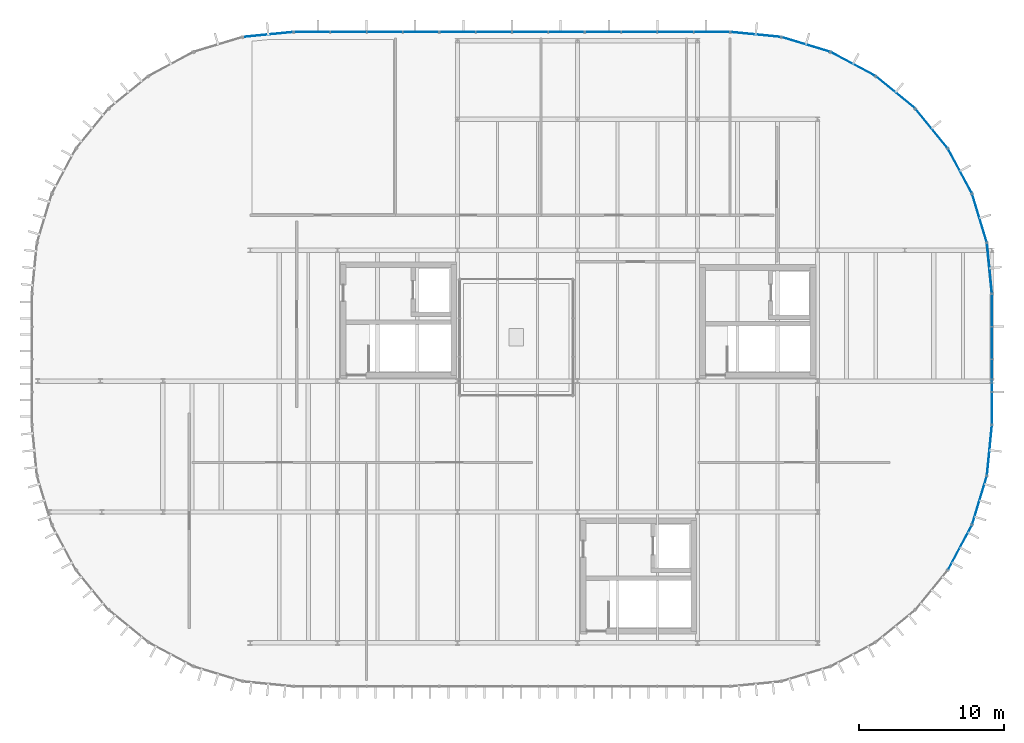
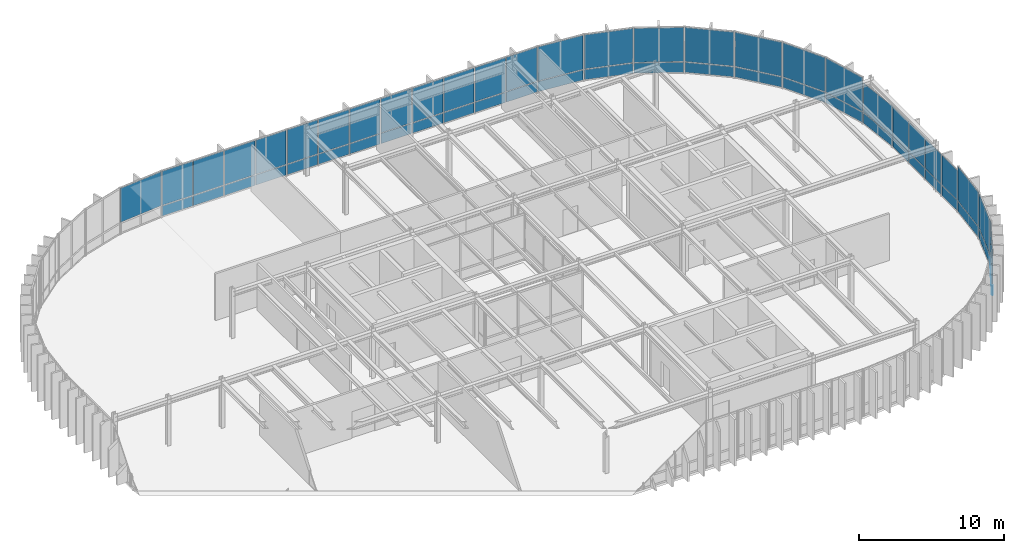
# One storey, part 18 of 21: 55 plates, 16 elements without a shape of their own.
"""IFC4 building model written with IfcOpenShell, lengths in metres."""

import ifcopenshell
import ifcopenshell.guid

model = None  # the IFC model being written
_history = None  # IfcOwnerHistory: only IFC2X3 demands one
_inside = {}  # id of a spatial element -> (the spatial element, [elements in it])
_under = {}  # id of a project, library or spatial element -> (it, [spatial elements below it])
_declared = {}  # id of a project -> (the project, [libraries it declares])
_typed = {}  # id of a type object -> (the type object, [elements of that type])
_made_of = {}  # id of a material, layer set ... -> (it, [elements and type objects made of it])


def new_model(schema):
    """Start an empty IFC model of exactly this schema.

    Asked for "IFC4X3", IfcOpenShell would pick the latest addendum, in which some entities
    have other attributes; the version numbers below select the first issue.
    IFC2X3 requires an IfcOwnerHistory on every rooted entity: one is made here for all.
    """
    global model, _history
    if schema == "IFC4X3":
        model = ifcopenshell.file(schema_version=(4, 3, 0, 0))
    else:
        model = ifcopenshell.file(schema=schema)
    _inside.clear()
    _under.clear()
    _declared.clear()
    _typed.clear()
    _made_of.clear()
    _history = None
    if model.schema == "IFC2X3":
        org = make("IfcOrganization", Name="unknown")
        user = make(
            "IfcPersonAndOrganization",
            ThePerson=make("IfcPerson", FamilyName="unknown"),
            TheOrganization=org,
        )
        app = make(
            "IfcApplication",
            ApplicationDeveloper=org,
            Version="unknown",
            ApplicationFullName="unknown",
            ApplicationIdentifier="unknown",
        )
        _history = make(
            "IfcOwnerHistory",
            OwningUser=user,
            OwningApplication=app,
            ChangeAction="ADDED",
            CreationDate=0,
        )
    return model


def make(cls, **values):
    """One entity of the class cls with the attributes given. An attribute that is None is left unset."""
    return model.create_entity(
        cls, **{name: value for name, value in values.items() if value is not None}
    )


def rooted(cls, **values):
    """An entity with a GlobalId (a new one), such as an element, a storey or a relation."""
    return make(cls, GlobalId=ifcopenshell.guid.new(), OwnerHistory=_history, **values)


def si_unit(unit_type, name, prefix=None):
    """IfcSIUnit, for example si_unit("LENGTHUNIT", "METRE", prefix="MILLI")."""
    return make("IfcSIUnit", UnitType=unit_type, Prefix=prefix, Name=name)


def assignment(units):
    """IfcUnitAssignment: the units of a project."""
    return None if units is None else make("IfcUnitAssignment", Units=units)


def point(xyz):
    """IfcCartesianPoint."""
    return None if xyz is None else make("IfcCartesianPoint", Coordinates=xyz)


def direction(xyz):
    """IfcDirection."""
    return None if xyz is None else make("IfcDirection", DirectionRatios=xyz)


def frame(location, z_axis=None, x_axis=None):
    """IfcAxis2Placement3D, a coordinate frame: its origin and axes. An axis left out is left unset."""
    return make(
        "IfcAxis2Placement3D",
        Location=point(location),
        Axis=direction(z_axis),
        RefDirection=direction(x_axis),
    )


def frame_2d(location, x_axis=None):
    """IfcAxis2Placement2D, a coordinate frame in the plane: its origin and x axis."""
    return make(
        "IfcAxis2Placement2D", Location=point(location), RefDirection=direction(x_axis)
    )


def origin():
    """The frame at (0, 0, 0) with its axes left unset."""
    return frame((0.0, 0.0, 0.0))


def origin_2d():
    """The frame at (0, 0) in the plane with its x axis left unset."""
    return frame_2d((0.0, 0.0))


def place(relative_to, where):
    """IfcLocalPlacement: puts the frame where relative to a parent placement (None: the world)."""
    return make(
        "IfcLocalPlacement", PlacementRelTo=relative_to, RelativePlacement=where
    )


def context(
    kind, dimensions, precision=None, world=None, true_north=None, identifier=None
):
    """IfcGeometricRepresentationContext, for example the 3D "Model" context."""
    return make(
        "IfcGeometricRepresentationContext",
        ContextIdentifier=identifier,
        ContextType=kind,
        CoordinateSpaceDimension=dimensions,
        Precision=precision,
        WorldCoordinateSystem=world,
        TrueNorth=true_north,
    )


def subcontext(parent, identifier, kind, view, scale=None):
    """IfcGeometricRepresentationSubContext, for example "Body" below "Model"."""
    return make(
        "IfcGeometricRepresentationSubContext",
        ContextIdentifier=identifier,
        ContextType=kind,
        ParentContext=parent,
        TargetScale=scale,
        TargetView=view,
    )


def project(units=None, contexts=None):
    """IfcProject with its units and contexts."""
    return rooted(
        "IfcProject",
        Name="project",
        RepresentationContexts=contexts,
        UnitsInContext=assignment(units),
    )


def spatial(cls, under=None, at=None, **own):
    """A site, building, storey or space (cls), placed at a placement, below another one or the project."""
    s = rooted(cls, ObjectPlacement=at, **own)
    if under is not None:
        _under.setdefault(under.id(), (under, []))[1].append(s)
    return s


def profile(cls, at=None, kind="AREA", **sizes):
    """A parametric profile (cls). Its sizes go by their IFC names, for example OverallWidth=200.0."""
    return make(cls, ProfileType=kind, Position=at, **sizes)


def rectangle(**sizes):
    """IfcRectangleProfileDef."""
    return profile("IfcRectangleProfileDef", **sizes)


def extrude(swept, where, along, depth):
    """IfcExtrudedAreaSolid: the profile swept, set in the frame where, extruded along a direction by depth."""
    return make(
        "IfcExtrudedAreaSolid",
        SweptArea=swept,
        Position=where,
        ExtrudedDirection=direction(along),
        Depth=depth,
    )


def shape(context_of_items, identifier, shape_type, items):
    """IfcShapeRepresentation: the items that make up one representation, for example the "Body"."""
    return make(
        "IfcShapeRepresentation",
        ContextOfItems=context_of_items,
        RepresentationIdentifier=identifier,
        RepresentationType=shape_type,
        Items=items,
    )


def material(Name=None, Category=None):
    """IfcMaterial."""
    return make("IfcMaterial", Name=Name, Category=Category)


def layer(
    of_material, thickness, ventilated=None, Name=None, Category=None, Priority=None
):
    """IfcMaterialLayer: one layer of a wall or slab, of a material (None: an air gap)."""
    return make(
        "IfcMaterialLayer",
        Material=of_material,
        LayerThickness=thickness,
        IsVentilated=ventilated,
        Name=Name,
        Category=Category,
        Priority=Priority,
    )


def layer_set(layers, Name=None):
    """IfcMaterialLayerSet."""
    return make("IfcMaterialLayerSet", MaterialLayers=layers, LayerSetName=Name)


def made_of(thing, what):
    """Note that an element or type object is made of a material, layer set ...; save() writes the relation."""
    if what is not None:
        _made_of.setdefault(what.id(), (what, []))[1].append(thing)
    return thing


def type_object(cls, material=None, **own):
    """A type object (cls), such as IfcWallType, which elements share."""
    return made_of(rooted(cls, **own), material)


def element(
    cls,
    number,
    at=None,
    inside=None,
    cuts=None,
    type_object=None,
    material=None,
    context=None,
    identifier="Body",
    shape_type=None,
    held_by="IfcProductDefinitionShape",
    body=None,
    shapes=None,
    **own,
):
    """One element of the class cls, such as IfcWall. Its Tag is "e" and its number.

    at: its placement. inside: the storey or other place that contains it. cuts: it is an
    opening in that element (IfcRelVoidsElement). A single representation is given by context,
    identifier, shape_type and body (its items); several are given by shapes. held_by: the class
    of the entity that holds the representations. save() writes the other relations.
    """
    e = rooted(cls, Tag="e%d" % number, ObjectPlacement=at, **own)
    if body is not None:
        shapes = [shape(context, identifier, shape_type, body)]
    if shapes is not None:
        e.Representation = make(held_by, Representations=shapes)
    if inside is not None:
        _inside.setdefault(inside.id(), (inside, []))[1].append(e)
    if cuts is not None:
        rooted(
            "IfcRelVoidsElement", RelatingBuildingElement=cuts, RelatedOpeningElement=e
        )
    if type_object is not None:
        _typed.setdefault(type_object.id(), (type_object, []))[1].append(e)
    return made_of(e, material)


def aggregate(whole, parts):
    """IfcRelAggregates: a whole, such as a stair, and the parts it consists of."""
    return rooted("IfcRelAggregates", RelatingObject=whole, RelatedObjects=parts)


def save(model, path):
    """Write the relations noted so far, then the file.

    IfcRelAggregates (storeys below a building ...), IfcRelContainedInSpatialStructure (elements
    in a storey), IfcRelDefinesByType, IfcRelAssociatesMaterial and IfcRelDeclares: one each for
    every whole, place, type object, material and project.
    """
    for whole, parts in _under.values():
        aggregate(whole, parts)
    for where, things in _inside.values():
        rooted(
            "IfcRelContainedInSpatialStructure",
            RelatedElements=things,
            RelatingStructure=where,
        )
    for kind, things in _typed.values():
        rooted("IfcRelDefinesByType", RelatedObjects=things, RelatingType=kind)
    for what, things in _made_of.values():
        rooted("IfcRelAssociatesMaterial", RelatedObjects=things, RelatingMaterial=what)
    for by, libraries in _declared.values():
        rooted("IfcRelDeclares", RelatingContext=by, RelatedDefinitions=libraries)
    model.write(path)


model = new_model("IFC4")

# Units and contexts
model_context = context("Model", 3, precision=1e-05, world=origin(), true_north=direction((0.0, 1.0)))
body_context = subcontext(model_context, "Body", "Model", "MODEL_VIEW")
ifc_project = project(units=[si_unit("LENGTHUNIT", "METRE"), si_unit("AREAUNIT", "SQUARE_METRE"), si_unit("VOLUMEUNIT", "CUBIC_METRE"), si_unit("PLANEANGLEUNIT", "RADIAN"), si_unit("MASSUNIT", "GRAM", prefix="KILO")], contexts=[model_context])

# Site, building, storey
site_placement = place(None, origin())
site = spatial("IfcSite", under=ifc_project, at=site_placement, CompositionType="ELEMENT")
building_placement = place(site_placement, origin())
building = spatial("IfcBuilding", under=site, at=building_placement, Name="Montealbar Specialist Clinic", CompositionType="ELEMENT")
storey_placement = place(building_placement, frame((0.0, 0.0, 26.39990234375)))
storey = spatial("IfcBuildingStorey", under=building, at=storey_placement, Name="L06", CompositionType="ELEMENT", Elevation=26.39990234375)

# Curtain wall, plate
ifc_material = material(Name="Low-E double glazing", Category="glass")
ifc_layer_1 = layer(ifc_material, 0.199951171875, Name="Low-E double glazing", Category="glass")
ifc_layer_set_1 = layer_set([ifc_layer_1], Name="Low-E double glazing")
curtain_wall_type_1 = type_object("IfcCurtainWallType", Name="CW-TYPE-12", PredefinedType="NOTDEFINED", material=ifc_layer_set_1)
curtain_wall_1_placement = place(storey_placement, origin())
curtain_wall_1 = element("IfcCurtainWall", 1, at=curtain_wall_1_placement, inside=storey, type_object=curtain_wall_type_1, Name="Unitised Curtain Wall CW-L06-595-507-630-510-264", PredefinedType="NOTDEFINED")
ifc_layer_2 = layer(ifc_material, 0.0380859375, Name="Low-E double glazing", Category="glass")
ifc_layer_set_2 = layer_set([ifc_layer_2], Name="Low-E double glazing")
plate_type = type_object("IfcPlateType", Name="CW-PNL-IGU38", PredefinedType="CURTAIN_PANEL", material=ifc_layer_set_2)
plate_1_placement = place(storey_placement, frame((61.243896484375, 50.826904296875, 0.980224609375), z_axis=(0.0, 0.0, 1.0), x_axis=(0.995182012183, 0.098044697094, 0.0)))
plate_1 = element("IfcPlate", 2, at=plate_1_placement, type_object=plate_type, Name="Glazed Curtain Panel CW-L06-595-507-630-510-264-1-2", PredefinedType="CURTAIN_PANEL", context=body_context, shape_type="SweptSolid", body=[
    extrude(rectangle(XDim=3.445068359375, YDim=0.0380859375, at=origin_2d()), origin(), (0.0, 0.0, 1.0), 2.8798828125),
])
aggregate(curtain_wall_1, [plate_1])

# Curtain wall, plates
ifc_layer_3 = layer(ifc_material, 0.199951171875, Name="Low-E double glazing", Category="glass")
ifc_layer_set_3 = layer_set([ifc_layer_3], Name="Low-E double glazing")
curtain_wall_type_2 = type_object("IfcCurtainWallType", Name="CW-TYPE-43", PredefinedType="NOTDEFINED", material=ifc_layer_set_3)
curtain_wall_2_placement = place(storey_placement, origin())
curtain_wall_2 = element("IfcCurtainWall", 3, at=curtain_wall_2_placement, inside=storey, type_object=curtain_wall_type_2, Name="Unitised Curtain Wall CW-L06-630-510-730-510-264", PredefinedType="NOTDEFINED")
plate_2_placement = place(storey_placement, frame((64.25, 51.0, 0.070068359375), z_axis=(0.0, 0.0, 1.0), x_axis=(1.0, 0.0, 0.0)))
plate_2 = element("IfcPlate", 4, at=plate_2_placement, type_object=plate_type, Name="Glazed Curtain Panel CW-L06-630-510-730-510-264-1-1", PredefinedType="CURTAIN_PANEL", context=body_context, shape_type="SweptSolid", body=[
    extrude(rectangle(XDim=2.416015625, YDim=0.0380859375, at=origin_2d()), origin(), (0.0, 0.0, 1.0), 0.85009765625),
])
plate_3_placement = place(storey_placement, frame((64.25, 51.0, 0.980224609375), z_axis=(0.0, 0.0, 1.0), x_axis=(1.0, 0.0, 0.0)))
plate_3 = element("IfcPlate", 5, at=plate_3_placement, type_object=plate_type, Name="Glazed Curtain Panel CW-L06-630-510-730-510-264-1-2", PredefinedType="CURTAIN_PANEL", context=body_context, shape_type="SweptSolid", body=[
    extrude(rectangle(XDim=2.416015625, YDim=0.0380859375, at=origin_2d()), origin(), (0.0, 0.0, 1.0), 2.8798828125),
])
plate_4_placement = place(storey_placement, frame((66.75, 51.0, 0.070068359375), z_axis=(0.0, 0.0, 1.0), x_axis=(1.0, 0.0, 0.0)))
plate_4 = element("IfcPlate", 6, at=plate_4_placement, type_object=plate_type, Name="Glazed Curtain Panel CW-L06-630-510-730-510-264-2-1", PredefinedType="CURTAIN_PANEL", context=body_context, shape_type="SweptSolid", body=[
    extrude(rectangle(XDim=2.416015625, YDim=0.0380859375, at=origin_2d()), origin(), (0.0, 0.0, 1.0), 0.85009765625),
])
plate_5_placement = place(storey_placement, frame((66.75, 51.0, 0.980224609375), z_axis=(0.0, 0.0, 1.0), x_axis=(1.0, 0.0, 0.0)))
plate_5 = element("IfcPlate", 7, at=plate_5_placement, type_object=plate_type, Name="Glazed Curtain Panel CW-L06-630-510-730-510-264-2-2", PredefinedType="CURTAIN_PANEL", context=body_context, shape_type="SweptSolid", body=[
    extrude(rectangle(XDim=2.416015625, YDim=0.0380859375, at=origin_2d()), origin(), (0.0, 0.0, 1.0), 2.8798828125),
])
plate_6_placement = place(storey_placement, frame((69.25, 51.0, 0.070068359375), z_axis=(0.0, 0.0, 1.0), x_axis=(1.0, 0.0, 0.0)))
plate_6 = element("IfcPlate", 8, at=plate_6_placement, type_object=plate_type, Name="Glazed Curtain Panel CW-L06-630-510-730-510-264-3-1", PredefinedType="CURTAIN_PANEL", context=body_context, shape_type="SweptSolid", body=[
    extrude(rectangle(XDim=2.416015625, YDim=0.0380859375, at=origin_2d()), origin(), (0.0, 0.0, 1.0), 0.85009765625),
])
plate_7_placement = place(storey_placement, frame((69.25, 51.0, 0.980224609375), z_axis=(0.0, 0.0, 1.0), x_axis=(1.0, 0.0, 0.0)))
plate_7 = element("IfcPlate", 9, at=plate_7_placement, type_object=plate_type, Name="Glazed Curtain Panel CW-L06-630-510-730-510-264-3-2", PredefinedType="CURTAIN_PANEL", context=body_context, shape_type="SweptSolid", body=[
    extrude(rectangle(XDim=2.416015625, YDim=0.0380859375, at=origin_2d()), origin(), (0.0, 0.0, 1.0), 2.8798828125),
])
plate_8_placement = place(storey_placement, frame((71.75, 51.0, 0.070068359375), z_axis=(0.0, 0.0, 1.0), x_axis=(1.0, 0.0, 0.0)))
plate_8 = element("IfcPlate", 10, at=plate_8_placement, type_object=plate_type, Name="Glazed Curtain Panel CW-L06-630-510-730-510-264-4-1", PredefinedType="CURTAIN_PANEL", context=body_context, shape_type="SweptSolid", body=[
    extrude(rectangle(XDim=2.416015625, YDim=0.0380859375, at=origin_2d()), origin(), (0.0, 0.0, 1.0), 0.85009765625),
])
plate_9_placement = place(storey_placement, frame((71.75, 51.0, 0.980224609375), z_axis=(0.0, 0.0, 1.0), x_axis=(1.0, 0.0, 0.0)))
plate_9 = element("IfcPlate", 11, at=plate_9_placement, type_object=plate_type, Name="Glazed Curtain Panel CW-L06-630-510-730-510-264-4-2", PredefinedType="CURTAIN_PANEL", context=body_context, shape_type="SweptSolid", body=[
    extrude(rectangle(XDim=2.416015625, YDim=0.0380859375, at=origin_2d()), origin(), (0.0, 0.0, 1.0), 2.8798828125),
])
aggregate(curtain_wall_2, [plate_2, plate_3, plate_4, plate_5, plate_6, plate_7, plate_8, plate_9])

curtain_wall_3_placement = place(storey_placement, origin())
curtain_wall_3 = element("IfcCurtainWall", 12, at=curtain_wall_3_placement, inside=storey, type_object=curtain_wall_type_2, Name="Unitised Curtain Wall CW-L06-730-510-830-510-264", PredefinedType="NOTDEFINED")
plate_10_placement = place(storey_placement, frame((74.25, 51.0, 0.070068359375), z_axis=(0.0, 0.0, 1.0), x_axis=(1.0, 0.0, 0.0)))
plate_10 = element("IfcPlate", 13, at=plate_10_placement, type_object=plate_type, Name="Glazed Curtain Panel CW-L06-730-510-830-510-264-1-1", PredefinedType="CURTAIN_PANEL", context=body_context, shape_type="SweptSolid", body=[
    extrude(rectangle(XDim=2.416015625, YDim=0.0380859375, at=origin_2d()), origin(), (0.0, 0.0, 1.0), 0.85009765625),
])
plate_11_placement = place(storey_placement, frame((74.25, 51.0, 0.980224609375), z_axis=(0.0, 0.0, 1.0), x_axis=(1.0, 0.0, 0.0)))
plate_11 = element("IfcPlate", 14, at=plate_11_placement, type_object=plate_type, Name="Glazed Curtain Panel CW-L06-730-510-830-510-264-1-2", PredefinedType="CURTAIN_PANEL", context=body_context, shape_type="SweptSolid", body=[
    extrude(rectangle(XDim=2.416015625, YDim=0.0380859375, at=origin_2d()), origin(), (0.0, 0.0, 1.0), 2.8798828125),
])
plate_12_placement = place(storey_placement, frame((76.75, 51.0, 0.070068359375), z_axis=(0.0, 0.0, 1.0), x_axis=(1.0, 0.0, 0.0)))
plate_12 = element("IfcPlate", 15, at=plate_12_placement, type_object=plate_type, Name="Glazed Curtain Panel CW-L06-730-510-830-510-264-2-1", PredefinedType="CURTAIN_PANEL", context=body_context, shape_type="SweptSolid", body=[
    extrude(rectangle(XDim=2.416015625, YDim=0.0380859375, at=origin_2d()), origin(), (0.0, 0.0, 1.0), 0.85009765625),
])
plate_13_placement = place(storey_placement, frame((76.75, 51.0, 0.980224609375), z_axis=(0.0, 0.0, 1.0), x_axis=(1.0, 0.0, 0.0)))
plate_13 = element("IfcPlate", 16, at=plate_13_placement, type_object=plate_type, Name="Glazed Curtain Panel CW-L06-730-510-830-510-264-2-2", PredefinedType="CURTAIN_PANEL", context=body_context, shape_type="SweptSolid", body=[
    extrude(rectangle(XDim=2.416015625, YDim=0.0380859375, at=origin_2d()), origin(), (0.0, 0.0, 1.0), 2.8798828125),
])
plate_14_placement = place(storey_placement, frame((79.25, 51.0, 0.070068359375), z_axis=(0.0, 0.0, 1.0), x_axis=(1.0, 0.0, 0.0)))
plate_14 = element("IfcPlate", 17, at=plate_14_placement, type_object=plate_type, Name="Glazed Curtain Panel CW-L06-730-510-830-510-264-3-1", PredefinedType="CURTAIN_PANEL", context=body_context, shape_type="SweptSolid", body=[
    extrude(rectangle(XDim=2.416015625, YDim=0.0380859375, at=origin_2d()), origin(), (0.0, 0.0, 1.0), 0.85009765625),
])
plate_15_placement = place(storey_placement, frame((79.25, 51.0, 0.980224609375), z_axis=(0.0, 0.0, 1.0), x_axis=(1.0, 0.0, 0.0)))
plate_15 = element("IfcPlate", 18, at=plate_15_placement, type_object=plate_type, Name="Glazed Curtain Panel CW-L06-730-510-830-510-264-3-2", PredefinedType="CURTAIN_PANEL", context=body_context, shape_type="SweptSolid", body=[
    extrude(rectangle(XDim=2.416015625, YDim=0.0380859375, at=origin_2d()), origin(), (0.0, 0.0, 1.0), 2.8798828125),
])
plate_16_placement = place(storey_placement, frame((81.75, 51.0, 0.070068359375), z_axis=(0.0, 0.0, 1.0), x_axis=(1.0, 0.0, 0.0)))
plate_16 = element("IfcPlate", 19, at=plate_16_placement, type_object=plate_type, Name="Glazed Curtain Panel CW-L06-730-510-830-510-264-4-1", PredefinedType="CURTAIN_PANEL", context=body_context, shape_type="SweptSolid", body=[
    extrude(rectangle(XDim=2.416015625, YDim=0.0380859375, at=origin_2d()), origin(), (0.0, 0.0, 1.0), 0.85009765625),
])
plate_17_placement = place(storey_placement, frame((81.75, 51.0, 0.980224609375), z_axis=(0.0, 0.0, 1.0), x_axis=(1.0, 0.0, 0.0)))
plate_17 = element("IfcPlate", 20, at=plate_17_placement, type_object=plate_type, Name="Glazed Curtain Panel CW-L06-730-510-830-510-264-4-2", PredefinedType="CURTAIN_PANEL", context=body_context, shape_type="SweptSolid", body=[
    extrude(rectangle(XDim=2.416015625, YDim=0.0380859375, at=origin_2d()), origin(), (0.0, 0.0, 1.0), 2.8798828125),
])
aggregate(curtain_wall_3, [plate_10, plate_11, plate_12, plate_13, plate_14, plate_15, plate_16, plate_17])

curtain_wall_4_placement = place(storey_placement, origin())
curtain_wall_4 = element("IfcCurtainWall", 21, at=curtain_wall_4_placement, inside=storey, type_object=curtain_wall_type_2, Name="Unitised Curtain Wall CW-L06-830-510-930-510-264", PredefinedType="NOTDEFINED")
plate_18_placement = place(storey_placement, frame((84.25, 51.0, 0.070068359375), z_axis=(0.0, 0.0, 1.0), x_axis=(1.0, 0.0, 0.0)))
plate_18 = element("IfcPlate", 22, at=plate_18_placement, type_object=plate_type, Name="Glazed Curtain Panel CW-L06-830-510-930-510-264-1-1", PredefinedType="CURTAIN_PANEL", context=body_context, shape_type="SweptSolid", body=[
    extrude(rectangle(XDim=2.416015625, YDim=0.0380859375, at=origin_2d()), origin(), (0.0, 0.0, 1.0), 0.85009765625),
])
plate_19_placement = place(storey_placement, frame((84.25, 51.0, 0.980224609375), z_axis=(0.0, 0.0, 1.0), x_axis=(1.0, 0.0, 0.0)))
plate_19 = element("IfcPlate", 23, at=plate_19_placement, type_object=plate_type, Name="Glazed Curtain Panel CW-L06-830-510-930-510-264-1-2", PredefinedType="CURTAIN_PANEL", context=body_context, shape_type="SweptSolid", body=[
    extrude(rectangle(XDim=2.416015625, YDim=0.0380859375, at=origin_2d()), origin(), (0.0, 0.0, 1.0), 2.8798828125),
])
plate_20_placement = place(storey_placement, frame((86.75, 51.0, 0.070068359375), z_axis=(0.0, 0.0, 1.0), x_axis=(1.0, 0.0, 0.0)))
plate_20 = element("IfcPlate", 24, at=plate_20_placement, type_object=plate_type, Name="Glazed Curtain Panel CW-L06-830-510-930-510-264-2-1", PredefinedType="CURTAIN_PANEL", context=body_context, shape_type="SweptSolid", body=[
    extrude(rectangle(XDim=2.416015625, YDim=0.0380859375, at=origin_2d()), origin(), (0.0, 0.0, 1.0), 0.85009765625),
])
plate_21_placement = place(storey_placement, frame((86.75, 51.0, 0.980224609375), z_axis=(0.0, 0.0, 1.0), x_axis=(1.0, 0.0, 0.0)))
plate_21 = element("IfcPlate", 25, at=plate_21_placement, type_object=plate_type, Name="Glazed Curtain Panel CW-L06-830-510-930-510-264-2-2", PredefinedType="CURTAIN_PANEL", context=body_context, shape_type="SweptSolid", body=[
    extrude(rectangle(XDim=2.416015625, YDim=0.0380859375, at=origin_2d()), origin(), (0.0, 0.0, 1.0), 2.8798828125),
])
plate_22_placement = place(storey_placement, frame((89.25, 51.0, 0.070068359375), z_axis=(0.0, 0.0, 1.0), x_axis=(1.0, 0.0, 0.0)))
plate_22 = element("IfcPlate", 26, at=plate_22_placement, type_object=plate_type, Name="Glazed Curtain Panel CW-L06-830-510-930-510-264-3-1", PredefinedType="CURTAIN_PANEL", context=body_context, shape_type="SweptSolid", body=[
    extrude(rectangle(XDim=2.416015625, YDim=0.0380859375, at=origin_2d()), origin(), (0.0, 0.0, 1.0), 0.85009765625),
])
plate_23_placement = place(storey_placement, frame((89.25, 51.0, 0.980224609375), z_axis=(0.0, 0.0, 1.0), x_axis=(1.0, 0.0, 0.0)))
plate_23 = element("IfcPlate", 27, at=plate_23_placement, type_object=plate_type, Name="Glazed Curtain Panel CW-L06-830-510-930-510-264-3-2", PredefinedType="CURTAIN_PANEL", context=body_context, shape_type="SweptSolid", body=[
    extrude(rectangle(XDim=2.416015625, YDim=0.0380859375, at=origin_2d()), origin(), (0.0, 0.0, 1.0), 2.8798828125),
])
plate_24_placement = place(storey_placement, frame((91.75, 51.0, 0.070068359375), z_axis=(0.0, 0.0, 1.0), x_axis=(1.0, 0.0, 0.0)))
plate_24 = element("IfcPlate", 28, at=plate_24_placement, type_object=plate_type, Name="Glazed Curtain Panel CW-L06-830-510-930-510-264-4-1", PredefinedType="CURTAIN_PANEL", context=body_context, shape_type="SweptSolid", body=[
    extrude(rectangle(XDim=2.416015625, YDim=0.0380859375, at=origin_2d()), origin(), (0.0, 0.0, 1.0), 0.85009765625),
])
plate_25_placement = place(storey_placement, frame((91.75, 51.0, 0.980224609375), z_axis=(0.0, 0.0, 1.0), x_axis=(1.0, 0.0, 0.0)))
plate_25 = element("IfcPlate", 29, at=plate_25_placement, type_object=plate_type, Name="Glazed Curtain Panel CW-L06-830-510-930-510-264-4-2", PredefinedType="CURTAIN_PANEL", context=body_context, shape_type="SweptSolid", body=[
    extrude(rectangle(XDim=2.416015625, YDim=0.0380859375, at=origin_2d()), origin(), (0.0, 0.0, 1.0), 2.8798828125),
])
aggregate(curtain_wall_4, [plate_18, plate_19, plate_20, plate_21, plate_22, plate_23, plate_24, plate_25])

curtain_wall_5_placement = place(storey_placement, origin())
curtain_wall_5 = element("IfcCurtainWall", 30, at=curtain_wall_5_placement, inside=storey, type_object=curtain_wall_type_1, Name="Unitised Curtain Wall CW-L06-930-510-965-507-264", PredefinedType="NOTDEFINED")
plate_26_placement = place(storey_placement, frame((94.756103515625, 50.826904296875, 0.070068359375), z_axis=(0.0, 0.0, 1.0), x_axis=(0.995182012183, -0.098044697094, 0.0)))
plate_26 = element("IfcPlate", 31, at=plate_26_placement, type_object=plate_type, Name="Glazed Curtain Panel CW-L06-930-510-965-507-264-1-1", PredefinedType="CURTAIN_PANEL", context=body_context, shape_type="SweptSolid", body=[
    extrude(rectangle(XDim=3.445068359375, YDim=0.0380859375, at=origin_2d()), origin(), (0.0, 0.0, 1.0), 0.85009765625),
])
plate_27_placement = place(storey_placement, frame((94.756103515625, 50.826904296875, 0.980224609375), z_axis=(0.0, 0.0, 1.0), x_axis=(0.995182012183, -0.098044697094, 0.0)))
plate_27 = element("IfcPlate", 32, at=plate_27_placement, type_object=plate_type, Name="Glazed Curtain Panel CW-L06-930-510-965-507-264-1-2", PredefinedType="CURTAIN_PANEL", context=body_context, shape_type="SweptSolid", body=[
    extrude(rectangle(XDim=3.445068359375, YDim=0.0380859375, at=origin_2d()), origin(), (0.0, 0.0, 1.0), 2.8798828125),
])
aggregate(curtain_wall_5, [plate_26, plate_27])

curtain_wall_6_placement = place(storey_placement, origin())
curtain_wall_6 = element("IfcCurtainWall", 33, at=curtain_wall_6_placement, inside=storey, type_object=curtain_wall_type_1, Name="Unitised Curtain Wall CW-L06-965-507-999-496-264", PredefinedType="NOTDEFINED")
plate_28_placement = place(storey_placement, frame((98.199951171875, 50.14208984375, 0.070068359375), z_axis=(0.0, 0.0, 1.0), x_axis=(0.956948083701, -0.290259134399, 0.0)))
plate_28 = element("IfcPlate", 34, at=plate_28_placement, type_object=plate_type, Name="Glazed Curtain Panel CW-L06-965-507-999-496-264-1-1", PredefinedType="CURTAIN_PANEL", context=body_context, shape_type="SweptSolid", body=[
    extrude(rectangle(XDim=3.444091796875, YDim=0.0380859375, at=origin_2d()), origin(), (0.0, 0.0, 1.0), 0.85009765625),
])
plate_29_placement = place(storey_placement, frame((98.199951171875, 50.14208984375, 0.980224609375), z_axis=(0.0, 0.0, 1.0), x_axis=(0.956948083701, -0.290259134399, 0.0)))
plate_29 = element("IfcPlate", 35, at=plate_29_placement, type_object=plate_type, Name="Glazed Curtain Panel CW-L06-965-507-999-496-264-1-2", PredefinedType="CURTAIN_PANEL", context=body_context, shape_type="SweptSolid", body=[
    extrude(rectangle(XDim=3.444091796875, YDim=0.0380859375, at=origin_2d()), origin(), (0.0, 0.0, 1.0), 2.8798828125),
])
aggregate(curtain_wall_6, [plate_28, plate_29])

curtain_wall_7_placement = place(storey_placement, origin())
curtain_wall_7 = element("IfcCurtainWall", 36, at=curtain_wall_7_placement, inside=storey, type_object=curtain_wall_type_1, Name="Unitised Curtain Wall CW-L06-999-496-1030-480-264", PredefinedType="NOTDEFINED")
plate_30_placement = place(storey_placement, frame((101.444091796875, 48.798095703125, 0.070068359375), z_axis=(0.0, 0.0, 1.0), x_axis=(0.881850411644, -0.471529268958, 0.0)))
plate_30 = element("IfcPlate", 37, at=plate_30_placement, type_object=plate_type, Name="Glazed Curtain Panel CW-L06-999-496-1030-480-264-1-1", PredefinedType="CURTAIN_PANEL", context=body_context, shape_type="SweptSolid", body=[
    extrude(rectangle(XDim=3.445068359375, YDim=0.0380859375, at=origin_2d()), origin(), (0.0, 0.0, 1.0), 0.85009765625),
])
plate_31_placement = place(storey_placement, frame((101.444091796875, 48.798095703125, 0.980224609375), z_axis=(0.0, 0.0, 1.0), x_axis=(0.881850411644, -0.471529268958, 0.0)))
plate_31 = element("IfcPlate", 38, at=plate_31_placement, type_object=plate_type, Name="Glazed Curtain Panel CW-L06-999-496-1030-480-264-1-2", PredefinedType="CURTAIN_PANEL", context=body_context, shape_type="SweptSolid", body=[
    extrude(rectangle(XDim=3.445068359375, YDim=0.0380859375, at=origin_2d()), origin(), (0.0, 0.0, 1.0), 2.8798828125),
])
aggregate(curtain_wall_7, [plate_30, plate_31])

curtain_wall_8_placement = place(storey_placement, origin())
curtain_wall_8 = element("IfcCurtainWall", 39, at=curtain_wall_8_placement, inside=storey, type_object=curtain_wall_type_1, Name="Unitised Curtain Wall CW-L06-1030-480-1057-457-264", PredefinedType="NOTDEFINED")
plate_32_placement = place(storey_placement, frame((104.364013671875, 46.846923828125, 0.070068359375), z_axis=(0.0, 0.0, 1.0), x_axis=(0.773123255923, -0.634255808922, 0.0)))
plate_32 = element("IfcPlate", 40, at=plate_32_placement, type_object=plate_type, Name="Glazed Curtain Panel CW-L06-1030-480-1057-457-264-1-1", PredefinedType="CURTAIN_PANEL", context=body_context, shape_type="SweptSolid", body=[
    extrude(rectangle(XDim=3.445068359375, YDim=0.0380859375, at=origin_2d()), origin(), (0.0, 0.0, 1.0), 0.85009765625),
])
plate_33_placement = place(storey_placement, frame((104.364013671875, 46.846923828125, 0.980224609375), z_axis=(0.0, 0.0, 1.0), x_axis=(0.773123255923, -0.634255808922, 0.0)))
plate_33 = element("IfcPlate", 41, at=plate_33_placement, type_object=plate_type, Name="Glazed Curtain Panel CW-L06-1030-480-1057-457-264-1-2", PredefinedType="CURTAIN_PANEL", context=body_context, shape_type="SweptSolid", body=[
    extrude(rectangle(XDim=3.445068359375, YDim=0.0380859375, at=origin_2d()), origin(), (0.0, 0.0, 1.0), 2.8798828125),
])
aggregate(curtain_wall_8, [plate_32, plate_33])

curtain_wall_9_placement = place(storey_placement, origin())
curtain_wall_9 = element("IfcCurtainWall", 42, at=curtain_wall_9_placement, inside=storey, type_object=curtain_wall_type_1, Name="Unitised Curtain Wall CW-L06-1057-457-1080-430-264", PredefinedType="NOTDEFINED")
plate_34_placement = place(storey_placement, frame((106.846923828125, 44.364013671875, 0.070068359375), z_axis=(0.0, 0.0, 1.0), x_axis=(0.634255808922, -0.773123255923, 0.0)))
plate_34 = element("IfcPlate", 43, at=plate_34_placement, type_object=plate_type, Name="Glazed Curtain Panel CW-L06-1057-457-1080-430-264-1-1", PredefinedType="CURTAIN_PANEL", context=body_context, shape_type="SweptSolid", body=[
    extrude(rectangle(XDim=3.445068359375, YDim=0.0380859375, at=origin_2d()), origin(), (0.0, 0.0, 1.0), 0.85009765625),
])
plate_35_placement = place(storey_placement, frame((106.846923828125, 44.364013671875, 0.980224609375), z_axis=(0.0, 0.0, 1.0), x_axis=(0.634255808922, -0.773123255923, 0.0)))
plate_35 = element("IfcPlate", 44, at=plate_35_placement, type_object=plate_type, Name="Glazed Curtain Panel CW-L06-1057-457-1080-430-264-1-2", PredefinedType="CURTAIN_PANEL", context=body_context, shape_type="SweptSolid", body=[
    extrude(rectangle(XDim=3.445068359375, YDim=0.0380859375, at=origin_2d()), origin(), (0.0, 0.0, 1.0), 2.8798828125),
])
aggregate(curtain_wall_9, [plate_34, plate_35])

curtain_wall_10_placement = place(storey_placement, origin())
curtain_wall_10 = element("IfcCurtainWall", 45, at=curtain_wall_10_placement, inside=storey, type_object=curtain_wall_type_1, Name="Unitised Curtain Wall CW-L06-1080-430-1096-399-264", PredefinedType="NOTDEFINED")
plate_36_placement = place(storey_placement, frame((108.798095703125, 41.444091796875, 0.070068359375), z_axis=(0.0, 0.0, 1.0), x_axis=(0.471529268958, -0.881850411644, 0.0)))
plate_36 = element("IfcPlate", 46, at=plate_36_placement, type_object=plate_type, Name="Glazed Curtain Panel CW-L06-1080-430-1096-399-264-1-1", PredefinedType="CURTAIN_PANEL", context=body_context, shape_type="SweptSolid", body=[
    extrude(rectangle(XDim=3.445068359375, YDim=0.0380859375, at=origin_2d()), origin(), (0.0, 0.0, 1.0), 0.85009765625),
])
plate_37_placement = place(storey_placement, frame((108.798095703125, 41.444091796875, 0.980224609375), z_axis=(0.0, 0.0, 1.0), x_axis=(0.471529268958, -0.881850411644, 0.0)))
plate_37 = element("IfcPlate", 47, at=plate_37_placement, type_object=plate_type, Name="Glazed Curtain Panel CW-L06-1080-430-1096-399-264-1-2", PredefinedType="CURTAIN_PANEL", context=body_context, shape_type="SweptSolid", body=[
    extrude(rectangle(XDim=3.445068359375, YDim=0.0380859375, at=origin_2d()), origin(), (0.0, 0.0, 1.0), 2.8798828125),
])
aggregate(curtain_wall_10, [plate_36, plate_37])

curtain_wall_11_placement = place(storey_placement, origin())
curtain_wall_11 = element("IfcCurtainWall", 48, at=curtain_wall_11_placement, inside=storey, type_object=curtain_wall_type_1, Name="Unitised Curtain Wall CW-L06-1096-399-1107-365-264", PredefinedType="NOTDEFINED")
plate_38_placement = place(storey_placement, frame((110.14208984375, 38.199951171875, 0.070068359375), z_axis=(0.0, 0.0, 1.0), x_axis=(0.290259134399, -0.956948083701, 0.0)))
plate_38 = element("IfcPlate", 49, at=plate_38_placement, type_object=plate_type, Name="Glazed Curtain Panel CW-L06-1096-399-1107-365-264-1-1", PredefinedType="CURTAIN_PANEL", context=body_context, shape_type="SweptSolid", body=[
    extrude(rectangle(XDim=3.444091796875, YDim=0.0380859375, at=origin_2d()), origin(), (0.0, 0.0, 1.0), 0.85009765625),
])
plate_39_placement = place(storey_placement, frame((110.14208984375, 38.199951171875, 0.980224609375), z_axis=(0.0, 0.0, 1.0), x_axis=(0.290259134399, -0.956948083701, 0.0)))
plate_39 = element("IfcPlate", 50, at=plate_39_placement, type_object=plate_type, Name="Glazed Curtain Panel CW-L06-1096-399-1107-365-264-1-2", PredefinedType="CURTAIN_PANEL", context=body_context, shape_type="SweptSolid", body=[
    extrude(rectangle(XDim=3.444091796875, YDim=0.0380859375, at=origin_2d()), origin(), (0.0, 0.0, 1.0), 2.8798828125),
])
aggregate(curtain_wall_11, [plate_38, plate_39])

ifc_layer_4 = layer(ifc_material, 0.199951171875, Name="Low-E double glazing", Category="glass")
ifc_layer_set_4 = layer_set([ifc_layer_4], Name="Low-E double glazing")
curtain_wall_type_3 = type_object("IfcCurtainWallType", Name="CW-TYPE-15", PredefinedType="NOTDEFINED", material=ifc_layer_set_4)
curtain_wall_12_placement = place(storey_placement, origin())
curtain_wall_12 = element("IfcCurtainWall", 51, at=curtain_wall_12_placement, inside=storey, type_object=curtain_wall_type_3, Name="Unitised Curtain Wall CW-L06-1107-365-1110-330-264", PredefinedType="NOTDEFINED")
plate_40_placement = place(storey_placement, frame((110.826904296875, 34.756103515625, 0.070068359375), z_axis=(0.0, 0.0, 1.0), x_axis=(0.098044697094, -0.995182012183, 0.0)))
plate_40 = element("IfcPlate", 52, at=plate_40_placement, type_object=plate_type, Name="Glazed Curtain Panel CW-L06-1107-365-1110-330-264-1-1", PredefinedType="CURTAIN_PANEL", context=body_context, shape_type="SweptSolid", body=[
    extrude(rectangle(XDim=3.445068359375, YDim=0.0380859375, at=origin_2d()), origin(), (0.0, 0.0, 1.0), 0.85009765625),
])
plate_41_placement = place(storey_placement, frame((110.826904296875, 34.756103515625, 0.980224609375), z_axis=(0.0, 0.0, 1.0), x_axis=(0.098044697094, -0.995182012183, 0.0)))
plate_41 = element("IfcPlate", 53, at=plate_41_placement, type_object=plate_type, Name="Glazed Curtain Panel CW-L06-1107-365-1110-330-264-1-2", PredefinedType="CURTAIN_PANEL", context=body_context, shape_type="SweptSolid", body=[
    extrude(rectangle(XDim=3.445068359375, YDim=0.0380859375, at=origin_2d()), origin(), (0.0, 0.0, 1.0), 2.47998046875),
])
aggregate(curtain_wall_12, [plate_40, plate_41])

ifc_layer_5 = layer(ifc_material, 0.199951171875, Name="Low-E double glazing", Category="glass")
ifc_layer_set_5 = layer_set([ifc_layer_5], Name="Low-E double glazing")
curtain_wall_type_4 = type_object("IfcCurtainWallType", Name="CW-TYPE-44", PredefinedType="NOTDEFINED", material=ifc_layer_set_5)
curtain_wall_13_placement = place(storey_placement, origin())
curtain_wall_13 = element("IfcCurtainWall", 54, at=curtain_wall_13_placement, inside=storey, type_object=curtain_wall_type_4, Name="Unitised Curtain Wall CW-L06-1110-330-1110-240-264", PredefinedType="NOTDEFINED")
plate_42_placement = place(storey_placement, frame((111.0, 31.875, 0.070068359375), z_axis=(0.0, 0.0, 1.0), x_axis=(0.0, -1.0, 0.0)))
plate_42 = element("IfcPlate", 55, at=plate_42_placement, type_object=plate_type, Name="Glazed Curtain Panel CW-L06-1110-330-1110-240-264-1-1", PredefinedType="CURTAIN_PANEL", context=body_context, shape_type="SweptSolid", body=[
    extrude(rectangle(XDim=2.166015625, YDim=0.0380859375, at=origin_2d()), origin(), (0.0, 0.0, 1.0), 0.85009765625),
])
plate_43_placement = place(storey_placement, frame((111.0, 31.875, 0.980224609375), z_axis=(0.0, 0.0, 1.0), x_axis=(0.0, -1.0, 0.0)))
plate_43 = element("IfcPlate", 56, at=plate_43_placement, type_object=plate_type, Name="Glazed Curtain Panel CW-L06-1110-330-1110-240-264-1-2", PredefinedType="CURTAIN_PANEL", context=body_context, shape_type="SweptSolid", body=[
    extrude(rectangle(XDim=2.166015625, YDim=0.0380859375, at=origin_2d()), origin(), (0.0, 0.0, 1.0), 2.47998046875),
])
plate_44_placement = place(storey_placement, frame((111.0, 29.625, 0.070068359375), z_axis=(0.0, 0.0, 1.0), x_axis=(0.0, -1.0, 0.0)))
plate_44 = element("IfcPlate", 57, at=plate_44_placement, type_object=plate_type, Name="Glazed Curtain Panel CW-L06-1110-330-1110-240-264-2-1", PredefinedType="CURTAIN_PANEL", context=body_context, shape_type="SweptSolid", body=[
    extrude(rectangle(XDim=2.166015625, YDim=0.0380859375, at=origin_2d()), origin(), (0.0, 0.0, 1.0), 0.85009765625),
])
plate_45_placement = place(storey_placement, frame((111.0, 29.625, 0.980224609375), z_axis=(0.0, 0.0, 1.0), x_axis=(0.0, -1.0, 0.0)))
plate_45 = element("IfcPlate", 58, at=plate_45_placement, type_object=plate_type, Name="Glazed Curtain Panel CW-L06-1110-330-1110-240-264-2-2", PredefinedType="CURTAIN_PANEL", context=body_context, shape_type="SweptSolid", body=[
    extrude(rectangle(XDim=2.166015625, YDim=0.0380859375, at=origin_2d()), origin(), (0.0, 0.0, 1.0), 2.47998046875),
])
plate_46_placement = place(storey_placement, frame((111.0, 27.375, 0.070068359375), z_axis=(0.0, 0.0, 1.0), x_axis=(0.0, -1.0, 0.0)))
plate_46 = element("IfcPlate", 59, at=plate_46_placement, type_object=plate_type, Name="Glazed Curtain Panel CW-L06-1110-330-1110-240-264-3-1", PredefinedType="CURTAIN_PANEL", context=body_context, shape_type="SweptSolid", body=[
    extrude(rectangle(XDim=2.166015625, YDim=0.0380859375, at=origin_2d()), origin(), (0.0, 0.0, 1.0), 0.85009765625),
])
plate_47_placement = place(storey_placement, frame((111.0, 27.375, 0.980224609375), z_axis=(0.0, 0.0, 1.0), x_axis=(0.0, -1.0, 0.0)))
plate_47 = element("IfcPlate", 60, at=plate_47_placement, type_object=plate_type, Name="Glazed Curtain Panel CW-L06-1110-330-1110-240-264-3-2", PredefinedType="CURTAIN_PANEL", context=body_context, shape_type="SweptSolid", body=[
    extrude(rectangle(XDim=2.166015625, YDim=0.0380859375, at=origin_2d()), origin(), (0.0, 0.0, 1.0), 2.47998046875),
])
plate_48_placement = place(storey_placement, frame((111.0, 25.125, 0.070068359375), z_axis=(0.0, 0.0, 1.0), x_axis=(0.0, -1.0, 0.0)))
plate_48 = element("IfcPlate", 61, at=plate_48_placement, type_object=plate_type, Name="Glazed Curtain Panel CW-L06-1110-330-1110-240-264-4-1", PredefinedType="CURTAIN_PANEL", context=body_context, shape_type="SweptSolid", body=[
    extrude(rectangle(XDim=2.166015625, YDim=0.0380859375, at=origin_2d()), origin(), (0.0, 0.0, 1.0), 0.85009765625),
])
plate_49_placement = place(storey_placement, frame((111.0, 25.125, 0.980224609375), z_axis=(0.0, 0.0, 1.0), x_axis=(0.0, -1.0, 0.0)))
plate_49 = element("IfcPlate", 62, at=plate_49_placement, type_object=plate_type, Name="Glazed Curtain Panel CW-L06-1110-330-1110-240-264-4-2", PredefinedType="CURTAIN_PANEL", context=body_context, shape_type="SweptSolid", body=[
    extrude(rectangle(XDim=2.166015625, YDim=0.0380859375, at=origin_2d()), origin(), (0.0, 0.0, 1.0), 2.47998046875),
])
aggregate(curtain_wall_13, [plate_42, plate_43, plate_44, plate_45, plate_46, plate_47, plate_48, plate_49])

curtain_wall_14_placement = place(storey_placement, origin())
curtain_wall_14 = element("IfcCurtainWall", 63, at=curtain_wall_14_placement, inside=storey, type_object=curtain_wall_type_1, Name="Unitised Curtain Wall CW-L06-1110-240-1107-205-264", PredefinedType="NOTDEFINED")
plate_50_placement = place(storey_placement, frame((110.826904296875, 22.243896484375, 0.070068359375), z_axis=(0.0, 0.0, 1.0), x_axis=(-0.098044697094, -0.995182012183, 0.0)))
plate_50 = element("IfcPlate", 64, at=plate_50_placement, type_object=plate_type, Name="Glazed Curtain Panel CW-L06-1110-240-1107-205-264-1-1", PredefinedType="CURTAIN_PANEL", context=body_context, shape_type="SweptSolid", body=[
    extrude(rectangle(XDim=3.445068359375, YDim=0.0380859375, at=origin_2d()), origin(), (0.0, 0.0, 1.0), 0.85009765625),
])
plate_51_placement = place(storey_placement, frame((110.826904296875, 22.243896484375, 0.980224609375), z_axis=(0.0, 0.0, 1.0), x_axis=(-0.098044697094, -0.995182012183, 0.0)))
plate_51 = element("IfcPlate", 65, at=plate_51_placement, type_object=plate_type, Name="Glazed Curtain Panel CW-L06-1110-240-1107-205-264-1-2", PredefinedType="CURTAIN_PANEL", context=body_context, shape_type="SweptSolid", body=[
    extrude(rectangle(XDim=3.445068359375, YDim=0.0380859375, at=origin_2d()), origin(), (0.0, 0.0, 1.0), 2.8798828125),
])
aggregate(curtain_wall_14, [plate_50, plate_51])

curtain_wall_15_placement = place(storey_placement, origin())
curtain_wall_15 = element("IfcCurtainWall", 66, at=curtain_wall_15_placement, inside=storey, type_object=curtain_wall_type_1, Name="Unitised Curtain Wall CW-L06-1107-205-1096-171-264", PredefinedType="NOTDEFINED")
plate_52_placement = place(storey_placement, frame((110.14208984375, 18.800048828125, 0.070068359375), z_axis=(0.0, 0.0, 1.0), x_axis=(-0.290259134399, -0.956948083701, 0.0)))
plate_52 = element("IfcPlate", 67, at=plate_52_placement, type_object=plate_type, Name="Glazed Curtain Panel CW-L06-1107-205-1096-171-264-1-1", PredefinedType="CURTAIN_PANEL", context=body_context, shape_type="SweptSolid", body=[
    extrude(rectangle(XDim=3.444091796875, YDim=0.0380859375, at=origin_2d()), origin(), (0.0, 0.0, 1.0), 0.85009765625),
])
plate_53_placement = place(storey_placement, frame((110.14208984375, 18.800048828125, 0.980224609375), z_axis=(0.0, 0.0, 1.0), x_axis=(-0.290259134399, -0.956948083701, 0.0)))
plate_53 = element("IfcPlate", 68, at=plate_53_placement, type_object=plate_type, Name="Glazed Curtain Panel CW-L06-1107-205-1096-171-264-1-2", PredefinedType="CURTAIN_PANEL", context=body_context, shape_type="SweptSolid", body=[
    extrude(rectangle(XDim=3.444091796875, YDim=0.0380859375, at=origin_2d()), origin(), (0.0, 0.0, 1.0), 2.8798828125),
])
aggregate(curtain_wall_15, [plate_52, plate_53])

curtain_wall_16_placement = place(storey_placement, origin())
curtain_wall_16 = element("IfcCurtainWall", 69, at=curtain_wall_16_placement, inside=storey, type_object=curtain_wall_type_1, Name="Unitised Curtain Wall CW-L06-1096-171-1080-140-264", PredefinedType="NOTDEFINED")
plate_54_placement = place(storey_placement, frame((108.798095703125, 15.555908203125, 0.070068359375), z_axis=(0.0, 0.0, 1.0), x_axis=(-0.471529268958, -0.881850411644, 0.0)))
plate_54 = element("IfcPlate", 70, at=plate_54_placement, type_object=plate_type, Name="Glazed Curtain Panel CW-L06-1096-171-1080-140-264-1-1", PredefinedType="CURTAIN_PANEL", context=body_context, shape_type="SweptSolid", body=[
    extrude(rectangle(XDim=3.445068359375, YDim=0.0380859375, at=origin_2d()), origin(), (0.0, 0.0, 1.0), 0.85009765625),
])
plate_55_placement = place(storey_placement, frame((108.798095703125, 15.555908203125, 0.980224609375), z_axis=(0.0, 0.0, 1.0), x_axis=(-0.471529268958, -0.881850411644, 0.0)))
plate_55 = element("IfcPlate", 71, at=plate_55_placement, type_object=plate_type, Name="Glazed Curtain Panel CW-L06-1096-171-1080-140-264-1-2", PredefinedType="CURTAIN_PANEL", context=body_context, shape_type="SweptSolid", body=[
    extrude(rectangle(XDim=3.445068359375, YDim=0.0380859375, at=origin_2d()), origin(), (0.0, 0.0, 1.0), 2.8798828125),
])
aggregate(curtain_wall_16, [plate_54, plate_55])

save(model, "model.ifc")
